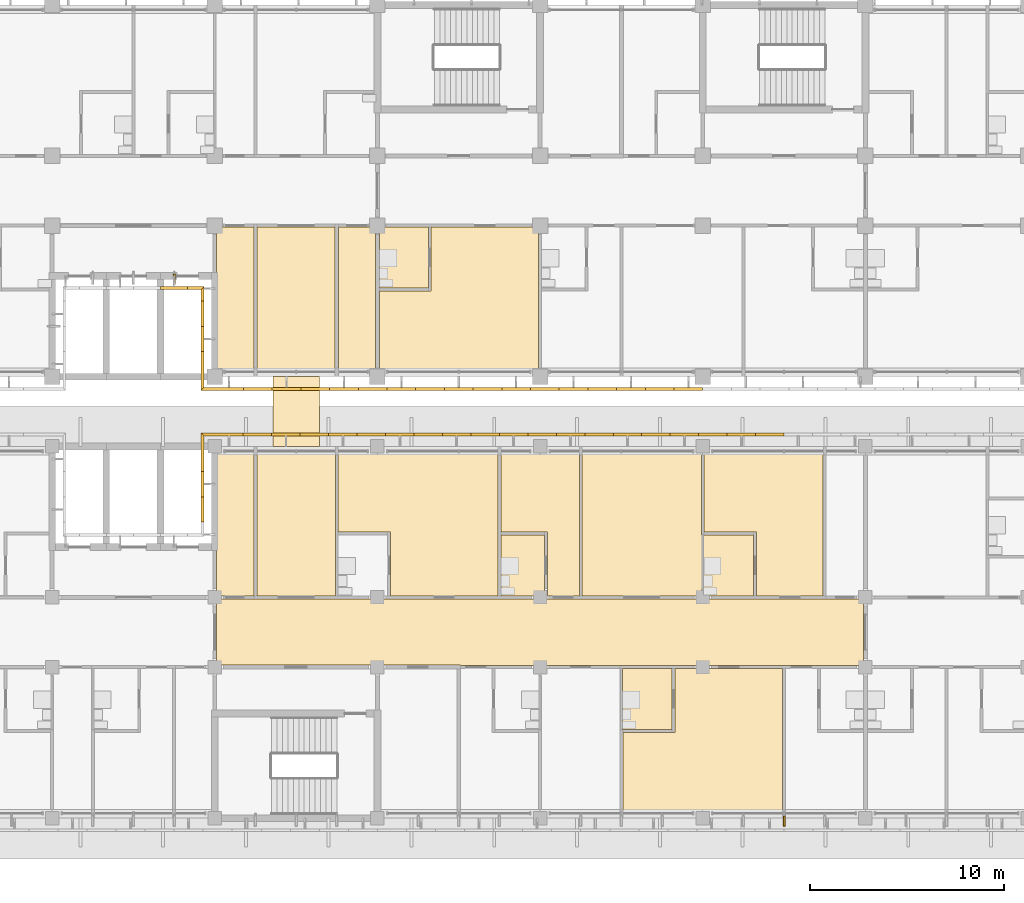
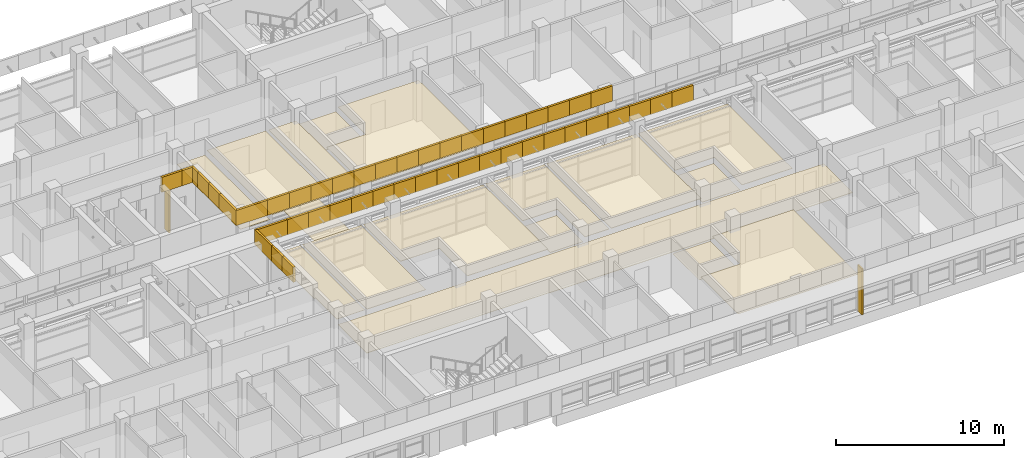
# One storey, part 63 of 71: 63 coverings, 2 shading devices.
"""IFC4 building model written with IfcOpenShell, lengths in metres."""

from ifc_helpers import new_model, si_unit, direction, frame, origin, origin_2d, place, context, subcontext, project, spatial, polyline, rectangle, outline, extrude, material, layer, layer_set, material_profile, profile_set, type_object, element, save


model = new_model("IFC4")

# Units and contexts
model_context = context("Model", 3, precision=1e-05, world=origin(), true_north=direction((0.0, 1.0)))
body_context = subcontext(model_context, "Body", "Model", "MODEL_VIEW")
ifc_project = project(units=[si_unit("LENGTHUNIT", "METRE"), si_unit("AREAUNIT", "SQUARE_METRE"), si_unit("VOLUMEUNIT", "CUBIC_METRE"), si_unit("PLANEANGLEUNIT", "RADIAN"), si_unit("MASSUNIT", "GRAM", prefix="KILO")], contexts=[model_context])

# Site, building, storey
site_placement = place(None, origin())
site = spatial("IfcSite", under=ifc_project, at=site_placement, CompositionType="ELEMENT")
building_placement = place(site_placement, origin())
building = spatial("IfcBuilding", under=site, at=building_placement, Name="Bougainvillea Quay General Hospital", CompositionType="ELEMENT")
storey_placement = place(building_placement, frame((0.0, 0.0, 24.89990234375)))
storey = spatial("IfcBuildingStorey", under=building, at=storey_placement, Name="L05", CompositionType="ELEMENT", Elevation=24.89990234375)

# Coverings
ifc_material_1 = material(Name="Powder-coated aluminium fascia, white", Category="aluminium")
ifc_layer_1 = layer(ifc_material_1, 0.14990234375)
ifc_layer_set_1 = layer_set([ifc_layer_1], Name="Powder-coated aluminium fascia, white")
covering_type_1 = type_object("IfcCoveringType", Name="Aluminium fascia band white 150x1100", PredefinedType="CLADDING", material=ifc_layer_set_1)
covering_1_placement = place(storey_placement, frame((72.800048828125, 145.050048828125, 3.35009765625), z_axis=(0.0, 0.0, 1.0), x_axis=(1.0, 0.0, 0.0)))
element("IfcCovering", 1, at=covering_1_placement, inside=storey, type_object=covering_type_1, Name="Fascia band white e0 135", PredefinedType="CLADDING", context=body_context, shape_type="SweptSolid", body=[
    extrude(outline(polyline([(0.0, 0.0), (1.39990234375, 0.0), (1.39990234375, -0.150146484375), (0.0, -0.150146484375), (0.0, 0.0)])), origin(), (0.0, 0.0, 1.0), 1.10009765625),
])
covering_2_placement = place(storey_placement, frame((74.199951171875, 145.050048828125, 3.35009765625), z_axis=(0.0, 0.0, 1.0), x_axis=(1.0, 0.0, 0.0)))
element("IfcCovering", 2, at=covering_2_placement, inside=storey, type_object=covering_type_1, Name="Fascia band white e0 136", PredefinedType="CLADDING", context=body_context, shape_type="SweptSolid", body=[
    extrude(outline(polyline([(0.0, 0.0), (0.85009765625, 0.0), (0.699951171875, -0.150146484375), (0.0, -0.150146484375), (0.0, 0.0)])), origin(), (0.0, 0.0, 1.0), 1.10009765625),
])
covering_3_placement = place(storey_placement, frame((75.050048828125, 145.050048828125, 3.35009765625), z_axis=(0.0, 0.0, 1.0), x_axis=(0.0, -1.0, 0.0)))
element("IfcCovering", 3, at=covering_3_placement, inside=storey, type_object=covering_type_1, Name="Fascia band white e0 137", PredefinedType="CLADDING", context=body_context, shape_type="SweptSolid", body=[
    extrude(outline(polyline([(0.0, 0.0), (0.75, 0.0), (0.75, -0.150146484375), (0.150146484375, -0.150146484375), (0.0, 0.0)])), origin(), (0.0, 0.0, 1.0), 1.10009765625),
])
for number, where, z_axis, x_axis, name in (
    (4, (75.050048828125, 144.300048828125, 3.35009765625), (0.0, 0.0, 1.0), (0.0, -1.0, 0.0), "Fascia band white e0 138"),
    (5, (75.050048828125, 143.0, 3.35009765625), (0.0, 0.0, 1.0), (0.0, -1.0, 0.0), "Fascia band white e0 139"),
):
    element("IfcCovering", number, at=place(storey_placement, frame(where, z_axis=z_axis, x_axis=x_axis)), inside=storey, type_object=covering_type_1, Name=name, PredefinedType="CLADDING", context=body_context, shape_type="SweptSolid", body=[
        extrude(outline(polyline([(0.0, 0.0), (1.300048828125, 0.0), (1.300048828125, -0.150146484375), (0.0, -0.150146484375), (0.0, 0.0)])), origin(), (0.0, 0.0, 1.0), 1.10009765625),
    ])
covering_4_placement = place(storey_placement, frame((75.050048828125, 141.699951171875, 3.35009765625), z_axis=(0.0, 0.0, 1.0), x_axis=(0.0, -1.0, 0.0)))
element("IfcCovering", 6, at=covering_4_placement, inside=storey, type_object=covering_type_1, Name="Fascia band white e0 140", PredefinedType="CLADDING", context=body_context, shape_type="SweptSolid", body=[
    extrude(outline(polyline([(0.0, 0.0), (1.849853515625, 0.0), (2.0, -0.150146484375), (0.0, -0.150146484375), (0.0, 0.0)])), origin(), (0.0, 0.0, 1.0), 1.10009765625),
])
covering_5_placement = place(storey_placement, frame((75.050048828125, 139.85009765625, 3.35009765625), z_axis=(0.0, 0.0, 1.0), x_axis=(1.0, 0.0, 0.0)))
element("IfcCovering", 7, at=covering_5_placement, inside=storey, type_object=covering_type_1, Name="Fascia band white e0 141", PredefinedType="CLADDING", context=body_context, shape_type="SweptSolid", body=[
    extrude(outline(polyline([(0.0, 0.0), (2.0322265625, 0.0), (2.0322265625, -0.150146484375), (-0.150146484375, -0.150146484375), (0.0, 0.0)])), origin(), (0.0, 0.0, 1.0), 1.10009765625),
])
for number, where, z_axis, x_axis, name in (
    (8, (77.082275390625, 139.85009765625, 3.35009765625), (0.0, 0.0, 1.0), (1.0, 0.0, 0.0), "Fascia band white e0 142"),
    (9, (78.564697265625, 139.85009765625, 3.35009765625), (0.0, 0.0, 1.0), (1.0, 0.0, 0.0), "Fascia band white e0 143"),
):
    element("IfcCovering", number, at=place(storey_placement, frame(where, z_axis=z_axis, x_axis=x_axis)), inside=storey, type_object=covering_type_1, Name=name, PredefinedType="CLADDING", context=body_context, shape_type="SweptSolid", body=[
        extrude(outline(polyline([(0.0, 0.0), (1.482421875, 0.0), (1.482421875, -0.150146484375), (0.0, -0.150146484375), (0.0, 0.0)])), origin(), (0.0, 0.0, 1.0), 1.10009765625),
    ])
covering_6_placement = place(storey_placement, frame((80.047119140625, 139.85009765625, 3.35009765625), z_axis=(0.0, 0.0, 1.0), x_axis=(1.0, 0.0, 0.0)))
element("IfcCovering", 10, at=covering_6_placement, inside=storey, type_object=covering_type_1, Name="Fascia band white e0 144", PredefinedType="CLADDING", context=body_context, shape_type="SweptSolid", body=[
    extrude(outline(polyline([(0.0, 0.0), (1.482177734375, 0.0), (1.482177734375, -0.150146484375), (0.0, -0.150146484375), (0.0, 0.0)])), origin(), (0.0, 0.0, 1.0), 1.10009765625),
])
for number, where, z_axis, x_axis, name in (
    (11, (81.529296875, 139.85009765625, 3.35009765625), (0.0, 0.0, 1.0), (1.0, 0.0, 0.0), "Fascia band white e0 145"),
    (12, (83.01171875, 139.85009765625, 3.35009765625), (0.0, 0.0, 1.0), (1.0, 0.0, 0.0), "Fascia band white e0 146"),
    (13, (84.494140625, 139.85009765625, 3.35009765625), (0.0, 0.0, 1.0), (1.0, 0.0, 0.0), "Fascia band white e0 147"),
):
    element("IfcCovering", number, at=place(storey_placement, frame(where, z_axis=z_axis, x_axis=x_axis)), inside=storey, type_object=covering_type_1, Name=name, PredefinedType="CLADDING", context=body_context, shape_type="SweptSolid", body=[
        extrude(outline(polyline([(0.0, 0.0), (1.482421875, 0.0), (1.482421875, -0.150146484375), (0.0, -0.150146484375), (0.0, 0.0)])), origin(), (0.0, 0.0, 1.0), 1.10009765625),
    ])
covering_7_placement = place(storey_placement, frame((85.9765625, 139.85009765625, 3.35009765625), z_axis=(0.0, 0.0, 1.0), x_axis=(1.0, 0.0, 0.0)))
element("IfcCovering", 14, at=covering_7_placement, inside=storey, type_object=covering_type_1, Name="Fascia band white e0 148", PredefinedType="CLADDING", context=body_context, shape_type="SweptSolid", body=[
    extrude(outline(polyline([(0.0, 0.0), (1.482177734375, 0.0), (1.482177734375, -0.150146484375), (0.0, -0.150146484375), (0.0, 0.0)])), origin(), (0.0, 0.0, 1.0), 1.10009765625),
])
for number, where, z_axis, x_axis, name in (
    (15, (87.458740234375, 139.85009765625, 3.35009765625), (0.0, 0.0, 1.0), (1.0, 0.0, 0.0), "Fascia band white e0 149"),
    (16, (88.941162109375, 139.85009765625, 3.35009765625), (0.0, 0.0, 1.0), (1.0, 0.0, 0.0), "Fascia band white e0 150"),
):
    element("IfcCovering", number, at=place(storey_placement, frame(where, z_axis=z_axis, x_axis=x_axis)), inside=storey, type_object=covering_type_1, Name=name, PredefinedType="CLADDING", context=body_context, shape_type="SweptSolid", body=[
        extrude(outline(polyline([(0.0, 0.0), (1.482421875, 0.0), (1.482421875, -0.150146484375), (0.0, -0.150146484375), (0.0, 0.0)])), origin(), (0.0, 0.0, 1.0), 1.10009765625),
    ])
covering_8_placement = place(storey_placement, frame((90.423583984375, 139.85009765625, 3.35009765625), z_axis=(0.0, 0.0, 1.0), x_axis=(1.0, 0.0, 0.0)))
element("IfcCovering", 17, at=covering_8_placement, inside=storey, type_object=covering_type_1, Name="Fascia band white e0 151", PredefinedType="CLADDING", context=body_context, shape_type="SweptSolid", body=[
    extrude(outline(polyline([(0.0, 0.0), (1.482177734375, 0.0), (1.482177734375, -0.150146484375), (0.0, -0.150146484375), (0.0, 0.0)])), origin(), (0.0, 0.0, 1.0), 1.10009765625),
])
for number, where, z_axis, x_axis, name in (
    (18, (91.90576171875, 139.85009765625, 3.35009765625), (0.0, 0.0, 1.0), (1.0, 0.0, 0.0), "Fascia band white e0 152"),
    (19, (93.38818359375, 139.85009765625, 3.35009765625), (0.0, 0.0, 1.0), (1.0, 0.0, 0.0), "Fascia band white e0 153"),
    (20, (94.87060546875, 139.85009765625, 3.35009765625), (0.0, 0.0, 1.0), (1.0, 0.0, 0.0), "Fascia band white e0 154"),
):
    element("IfcCovering", number, at=place(storey_placement, frame(where, z_axis=z_axis, x_axis=x_axis)), inside=storey, type_object=covering_type_1, Name=name, PredefinedType="CLADDING", context=body_context, shape_type="SweptSolid", body=[
        extrude(outline(polyline([(0.0, 0.0), (1.482421875, 0.0), (1.482421875, -0.150146484375), (0.0, -0.150146484375), (0.0, 0.0)])), origin(), (0.0, 0.0, 1.0), 1.10009765625),
    ])
covering_9_placement = place(storey_placement, frame((96.35302734375, 139.85009765625, 3.35009765625), z_axis=(0.0, 0.0, 1.0), x_axis=(1.0, 0.0, 0.0)))
element("IfcCovering", 21, at=covering_9_placement, inside=storey, type_object=covering_type_1, Name="Fascia band white e0 155", PredefinedType="CLADDING", context=body_context, shape_type="SweptSolid", body=[
    extrude(outline(polyline([(0.0, 0.0), (1.482177734375, 0.0), (1.482177734375, -0.150146484375), (0.0, -0.150146484375), (0.0, 0.0)])), origin(), (0.0, 0.0, 1.0), 1.10009765625),
])
for number, where, z_axis, x_axis, name in (
    (22, (97.835205078125, 139.85009765625, 3.35009765625), (0.0, 0.0, 1.0), (1.0, 0.0, 0.0), "Fascia band white e0 156"),
    (23, (99.317626953125, 139.85009765625, 3.35009765625), (0.0, 0.0, 1.0), (1.0, 0.0, 0.0), "Fascia band white e0 157"),
):
    element("IfcCovering", number, at=place(storey_placement, frame(where, z_axis=z_axis, x_axis=x_axis)), inside=storey, type_object=covering_type_1, Name=name, PredefinedType="CLADDING", context=body_context, shape_type="SweptSolid", body=[
        extrude(outline(polyline([(0.0, 0.0), (1.482421875, 0.0), (1.482421875, -0.150146484375), (0.0, -0.150146484375), (0.0, 0.0)])), origin(), (0.0, 0.0, 1.0), 1.10009765625),
    ])
for number, where, z_axis, x_axis, name in (
    (24, (105.0, 137.35009765625, 3.35009765625), (0.0, 0.0, 1.0), (-1.0, 0.0, 0.0), "Fascia band white e0 162"),
    (25, (103.530029296875, 137.35009765625, 3.35009765625), (0.0, 0.0, 1.0), (-1.0, 0.0, 0.0), "Fascia band white e0 163"),
    (26, (102.06005859375, 137.35009765625, 3.35009765625), (0.0, 0.0, 1.0), (-1.0, 0.0, 0.0), "Fascia band white e0 164"),
    (27, (100.590087890625, 137.35009765625, 3.35009765625), (0.0, 0.0, 1.0), (-1.0, 0.0, 0.0), "Fascia band white e0 165"),
):
    element("IfcCovering", number, at=place(storey_placement, frame(where, z_axis=z_axis, x_axis=x_axis)), inside=storey, type_object=covering_type_1, Name=name, PredefinedType="CLADDING", context=body_context, shape_type="SweptSolid", body=[
        extrude(outline(polyline([(0.0, 0.0), (1.469970703125, 0.0), (1.469970703125, -0.14990234375), (0.0, -0.14990234375), (0.0, 0.0)])), origin(), (0.0, 0.0, 1.0), 1.10009765625),
    ])
covering_10_placement = place(storey_placement, frame((99.1201171875, 137.35009765625, 3.35009765625), z_axis=(0.0, 0.0, 1.0), x_axis=(-1.0, 0.0, 0.0)))
element("IfcCovering", 28, at=covering_10_placement, inside=storey, type_object=covering_type_1, Name="Fascia band white e0 166", PredefinedType="CLADDING", context=body_context, shape_type="SweptSolid", body=[
    extrude(outline(polyline([(0.0, 0.0), (1.47021484375, 0.0), (1.47021484375, -0.14990234375), (0.0, -0.14990234375), (0.0, 0.0)])), origin(), (0.0, 0.0, 1.0), 1.10009765625),
])
for number, where, z_axis, x_axis, name in (
    (29, (97.64990234375, 137.35009765625, 3.35009765625), (0.0, 0.0, 1.0), (-1.0, 0.0, 0.0), "Fascia band white e0 167"),
    (30, (96.179931640625, 137.35009765625, 3.35009765625), (0.0, 0.0, 1.0), (-1.0, 0.0, 0.0), "Fascia band white e0 168"),
    (31, (94.7099609375, 137.35009765625, 3.35009765625), (0.0, 0.0, 1.0), (-1.0, 0.0, 0.0), "Fascia band white e0 169"),
    (32, (93.239990234375, 137.35009765625, 3.35009765625), (0.0, 0.0, 1.0), (-1.0, 0.0, 0.0), "Fascia band white e0 170"),
    (33, (91.77001953125, 137.35009765625, 3.35009765625), (0.0, 0.0, 1.0), (-1.0, 0.0, 0.0), "Fascia band white e0 171"),
    (34, (90.300048828125, 137.35009765625, 3.35009765625), (0.0, 0.0, 1.0), (-1.0, 0.0, 0.0), "Fascia band white e0 172"),
    (35, (88.830078125, 137.35009765625, 3.35009765625), (0.0, 0.0, 1.0), (-1.0, 0.0, 0.0), "Fascia band white e0 173"),
):
    element("IfcCovering", number, at=place(storey_placement, frame(where, z_axis=z_axis, x_axis=x_axis)), inside=storey, type_object=covering_type_1, Name=name, PredefinedType="CLADDING", context=body_context, shape_type="SweptSolid", body=[
        extrude(outline(polyline([(0.0, 0.0), (1.469970703125, 0.0), (1.469970703125, -0.14990234375), (0.0, -0.14990234375), (0.0, 0.0)])), origin(), (0.0, 0.0, 1.0), 1.10009765625),
    ])
covering_11_placement = place(storey_placement, frame((87.360107421875, 137.35009765625, 3.35009765625), z_axis=(0.0, 0.0, 1.0), x_axis=(-1.0, 0.0, 0.0)))
element("IfcCovering", 36, at=covering_11_placement, inside=storey, type_object=covering_type_1, Name="Fascia band white e0 174", PredefinedType="CLADDING", context=body_context, shape_type="SweptSolid", body=[
    extrude(outline(polyline([(0.0, 0.0), (1.47021484375, 0.0), (1.47021484375, -0.14990234375), (0.0, -0.14990234375), (0.0, 0.0)])), origin(), (0.0, 0.0, 1.0), 1.10009765625),
])
for number, where, z_axis, x_axis, name in (
    (37, (85.889892578125, 137.35009765625, 3.35009765625), (0.0, 0.0, 1.0), (-1.0, 0.0, 0.0), "Fascia band white e0 175"),
    (38, (84.419921875, 137.35009765625, 3.35009765625), (0.0, 0.0, 1.0), (-1.0, 0.0, 0.0), "Fascia band white e0 176"),
    (39, (82.949951171875, 137.35009765625, 3.35009765625), (0.0, 0.0, 1.0), (-1.0, 0.0, 0.0), "Fascia band white e0 177"),
    (40, (81.47998046875, 137.35009765625, 3.35009765625), (0.0, 0.0, 1.0), (-1.0, 0.0, 0.0), "Fascia band white e0 178"),
    (41, (80.010009765625, 137.35009765625, 3.35009765625), (0.0, 0.0, 1.0), (-1.0, 0.0, 0.0), "Fascia band white e0 179"),
    (42, (78.5400390625, 137.35009765625, 3.35009765625), (0.0, 0.0, 1.0), (-1.0, 0.0, 0.0), "Fascia band white e0 180"),
):
    element("IfcCovering", number, at=place(storey_placement, frame(where, z_axis=z_axis, x_axis=x_axis)), inside=storey, type_object=covering_type_1, Name=name, PredefinedType="CLADDING", context=body_context, shape_type="SweptSolid", body=[
        extrude(outline(polyline([(0.0, 0.0), (1.469970703125, 0.0), (1.469970703125, -0.14990234375), (0.0, -0.14990234375), (0.0, 0.0)])), origin(), (0.0, 0.0, 1.0), 1.10009765625),
    ])
covering_12_placement = place(storey_placement, frame((77.070068359375, 137.35009765625, 3.35009765625), z_axis=(0.0, 0.0, 1.0), x_axis=(-1.0, 0.0, 0.0)))
element("IfcCovering", 43, at=covering_12_placement, inside=storey, type_object=covering_type_1, Name="Fascia band white e0 181", PredefinedType="CLADDING", context=body_context, shape_type="SweptSolid", body=[
    extrude(outline(polyline([(0.0, 0.0), (2.02001953125, 0.0), (2.170166015625, -0.14990234375), (0.0, -0.14990234375), (0.0, 0.0)])), origin(), (0.0, 0.0, 1.0), 1.10009765625),
])
covering_13_placement = place(storey_placement, frame((75.050048828125, 137.35009765625, 3.35009765625), z_axis=(0.0, 0.0, 1.0), x_axis=(0.0, -1.0, 0.0)))
element("IfcCovering", 44, at=covering_13_placement, inside=storey, type_object=covering_type_1, Name="Fascia band white e0 182", PredefinedType="CLADDING", context=body_context, shape_type="SweptSolid", body=[
    extrude(outline(polyline([(0.0, 0.0), (1.85009765625, 0.0), (1.85009765625, -0.150146484375), (-0.14990234375, -0.150146484375), (0.0, 0.0)])), origin(), (0.0, 0.0, 1.0), 1.10009765625),
])
for number, where, z_axis, x_axis, name in (
    (45, (75.050048828125, 135.5, 3.35009765625), (0.0, 0.0, 1.0), (0.0, -1.0, 0.0), "Fascia band white e0 183"),
    (46, (75.050048828125, 134.199951171875, 3.35009765625), (0.0, 0.0, 1.0), (0.0, -1.0, 0.0), "Fascia band white e0 184"),
):
    element("IfcCovering", number, at=place(storey_placement, frame(where, z_axis=z_axis, x_axis=x_axis)), inside=storey, type_object=covering_type_1, Name=name, PredefinedType="CLADDING", context=body_context, shape_type="SweptSolid", body=[
        extrude(outline(polyline([(0.0, 0.0), (1.300048828125, 0.0), (1.300048828125, -0.150146484375), (0.0, -0.150146484375), (0.0, 0.0)])), origin(), (0.0, 0.0, 1.0), 1.10009765625),
    ])
ifc_material_2 = material(Name="Mineral fibre ceiling tile")
ifc_layer_2 = layer(ifc_material_2, 0.030029296875)
ifc_layer_set_2 = layer_set([ifc_layer_2], Name="Mineral fibre ceiling tile")
covering_type_2 = type_object("IfcCoveringType", Name="Suspended ceiling mineral fibre tile", PredefinedType="CEILING", material=ifc_layer_set_2)
covering_14_placement = place(storey_placement, frame((0.0, 0.0, 2.7001953125)))
element("IfcCovering", 47, at=covering_14_placement, inside=storey, type_object=covering_type_2, Name="Ceiling Ward Link Bridge 1", PredefinedType="CEILING", context=body_context, shape_type="SweptSolid", body=[
    extrude(outline(polyline([(81.0, 136.800048828125), (81.0, 140.39990234375), (78.60009765625, 140.39990234375), (78.60009765625, 136.800048828125), (81.0, 136.800048828125)])), origin(), (0.0, 0.0, 1.0), 0.02978515625),
])
covering_15_placement = place(storey_placement, frame((0.0, 0.0, 2.400146484375)))
element("IfcCovering", 48, at=covering_15_placement, inside=storey, type_object=covering_type_2, Name="Ceiling Cleaners' Store 05A11", PredefinedType="CEILING", context=body_context, shape_type="SweptSolid", body=[
    extrude(outline(polyline([(77.625, 140.39990234375), (77.625, 148.125), (75.699951171875, 148.125), (75.699951171875, 145.60009765625), (75.60009765625, 145.60009765625), (75.60009765625, 140.39990234375), (77.625, 140.39990234375)])), origin(), (0.0, 0.0, 1.0), 0.030029296875),
])
covering_16_placement = place(storey_placement, frame((0.0, 0.0, 2.7001953125)))
element("IfcCovering", 49, at=covering_16_placement, inside=storey, type_object=covering_type_2, Name="Ceiling Four-bed Ward Room 05A12", PredefinedType="CEILING", context=body_context, shape_type="SweptSolid", body=[
    extrude(outline(polyline([(92.324951171875, 140.39990234375), (92.324951171875, 148.125), (86.77490234375, 148.125), (86.77490234375, 144.824951171875), (84.10009765625, 144.824951171875), (84.10009765625, 140.39990234375), (92.324951171875, 140.39990234375)])), origin(), (0.0, 0.0, 1.0), 0.02978515625),
])
covering_17_placement = place(storey_placement, frame((0.0, 0.0, 2.400146484375)))
element("IfcCovering", 50, at=covering_17_placement, inside=storey, type_object=covering_type_2, Name="Ceiling En-suite 05A12", PredefinedType="CEILING", context=body_context, shape_type="SweptSolid", body=[
    extrude(outline(polyline([(84.10009765625, 144.97509765625), (86.625, 144.97509765625), (86.625, 148.125), (84.10009765625, 148.125), (84.10009765625, 144.97509765625)])), origin(), (0.0, 0.0, 1.0), 0.030029296875),
])
covering_18_placement = place(storey_placement, frame((0.0, 0.0, 2.7001953125)))
element("IfcCovering", 51, at=covering_18_placement, inside=storey, type_object=covering_type_2, Name="Ceiling Ward Link Passage A1", PredefinedType="CEILING", context=body_context, shape_type="SweptSolid", body=[
    extrude(outline(polyline([(81.800048828125, 140.39990234375), (81.800048828125, 148.125), (77.77490234375, 148.125), (77.77490234375, 140.39990234375), (81.800048828125, 140.39990234375)])), origin(), (0.0, 0.0, 1.0), 0.02978515625),
])
covering_19_placement = place(storey_placement, frame((0.0, 0.0, 2.7001953125)))
element("IfcCovering", 52, at=covering_19_placement, inside=storey, type_object=covering_type_2, Name="Ceiling Lift Machine Room A1", PredefinedType="CEILING", context=body_context, shape_type="SweptSolid", body=[
    extrude(outline(polyline([(83.89990234375, 140.39990234375), (83.89990234375, 148.125), (82.0, 148.125), (82.0, 140.39990234375), (83.89990234375, 140.39990234375)])), origin(), (0.0, 0.0, 1.0), 0.02978515625),
])
covering_20_placement = place(storey_placement, frame((0.0, 0.0, 2.7001953125)))
element("IfcCovering", 53, at=covering_20_placement, inside=storey, type_object=covering_type_2, Name="Ceiling Dirty Utility and Sluice Room 05B12", PredefinedType="CEILING", context=body_context, shape_type="SweptSolid", body=[
    extrude(outline(polyline([(75.60009765625, 131.60009765625), (75.699951171875, 131.60009765625), (75.699951171875, 129.074951171875), (77.625, 129.074951171875), (77.625, 136.800048828125), (75.60009765625, 136.800048828125), (75.60009765625, 131.60009765625)])), origin(), (0.0, 0.0, 1.0), 0.02978515625),
])
covering_21_placement = place(storey_placement, frame((0.0, 0.0, 2.7001953125)))
element("IfcCovering", 54, at=covering_21_placement, inside=storey, type_object=covering_type_2, Name="Ceiling Four-bed Ward Room 05B13", PredefinedType="CEILING", context=body_context, shape_type="SweptSolid", body=[
    extrude(outline(polyline([(81.97509765625, 136.800048828125), (81.97509765625, 132.375), (84.675048828125, 132.375), (84.675048828125, 129.074951171875), (90.22509765625, 129.074951171875), (90.22509765625, 136.800048828125), (81.97509765625, 136.800048828125)])), origin(), (0.0, 0.0, 1.0), 0.02978515625),
])
covering_22_placement = place(storey_placement, frame((0.0, 0.0, 2.7001953125)))
element("IfcCovering", 55, at=covering_22_placement, inside=storey, type_object=covering_type_2, Name="Ceiling Patient Room 05B14", PredefinedType="CEILING", context=body_context, shape_type="SweptSolid", body=[
    extrude(outline(polyline([(90.375, 136.800048828125), (90.375, 132.375), (92.77490234375, 132.375), (92.77490234375, 129.074951171875), (94.425048828125, 129.074951171875), (94.425048828125, 136.800048828125), (90.375, 136.800048828125)])), origin(), (0.0, 0.0, 1.0), 0.02978515625),
])
covering_23_placement = place(storey_placement, frame((0.0, 0.0, 2.400146484375)))
element("IfcCovering", 56, at=covering_23_placement, inside=storey, type_object=covering_type_2, Name="Ceiling En-suite 05B14", PredefinedType="CEILING", context=body_context, shape_type="SweptSolid", body=[
    extrude(outline(polyline([(92.625, 129.074951171875), (92.625, 132.22509765625), (90.375, 132.22509765625), (90.375, 129.074951171875), (92.625, 129.074951171875)])), origin(), (0.0, 0.0, 1.0), 0.030029296875),
])
covering_24_placement = place(storey_placement, frame((0.0, 0.0, 2.7001953125)))
element("IfcCovering", 57, at=covering_24_placement, inside=storey, type_object=covering_type_2, Name="Ceiling Nurses' Station 05B15", PredefinedType="CEILING", context=body_context, shape_type="SweptSolid", body=[
    extrude(outline(polyline([(94.574951171875, 136.800048828125), (94.574951171875, 129.074951171875), (100.75, 129.074951171875), (100.75, 132.22509765625), (100.72509765625, 132.22509765625), (100.72509765625, 136.800048828125), (94.574951171875, 136.800048828125)])), origin(), (0.0, 0.0, 1.0), 0.02978515625),
])
covering_25_placement = place(storey_placement, frame((0.0, 0.0, 2.7001953125)))
element("IfcCovering", 58, at=covering_25_placement, inside=storey, type_object=covering_type_2, Name="Ceiling Two-bed Patient Room 05B16", PredefinedType="CEILING", context=body_context, shape_type="SweptSolid", body=[
    extrude(outline(polyline([(100.875, 136.800048828125), (100.875, 132.375), (103.574951171875, 132.375), (103.574951171875, 129.074951171875), (107.02490234375, 129.074951171875), (107.02490234375, 136.800048828125), (100.875, 136.800048828125)])), origin(), (0.0, 0.0, 1.0), 0.02978515625),
])
covering_26_placement = place(storey_placement, frame((0.0, 0.0, 2.400146484375)))
element("IfcCovering", 59, at=covering_26_placement, inside=storey, type_object=covering_type_2, Name="Ceiling En-suite 05B16", PredefinedType="CEILING", context=body_context, shape_type="SweptSolid", body=[
    extrude(outline(polyline([(100.85009765625, 129.074951171875), (103.425048828125, 129.074951171875), (103.425048828125, 132.22509765625), (100.85009765625, 132.22509765625), (100.85009765625, 129.074951171875)])), origin(), (0.0, 0.0, 1.0), 0.030029296875),
])
covering_27_placement = place(storey_placement, frame((0.0, 0.0, 2.7001953125)))
element("IfcCovering", 60, at=covering_27_placement, inside=storey, type_object=covering_type_2, Name="Ceiling Four-bed Ward Room 05B20", PredefinedType="CEILING", context=body_context, shape_type="SweptSolid", body=[
    extrude(outline(polyline([(104.925048828125, 117.60009765625), (104.925048828125, 125.324951171875), (99.375, 125.324951171875), (99.375, 122.02490234375), (96.675048828125, 122.02490234375), (96.675048828125, 117.60009765625), (104.925048828125, 117.60009765625)])), origin(), (0.0, 0.0, 1.0), 0.02978515625),
])
covering_28_placement = place(storey_placement, frame((0.0, 0.0, 2.400146484375)))
element("IfcCovering", 61, at=covering_28_placement, inside=storey, type_object=covering_type_2, Name="Ceiling En-suite 05B20", PredefinedType="CEILING", context=body_context, shape_type="SweptSolid", body=[
    extrude(outline(polyline([(99.22509765625, 125.324951171875), (96.64990234375, 125.324951171875), (96.64990234375, 122.175048828125), (99.22509765625, 122.175048828125), (99.22509765625, 125.324951171875)])), origin(), (0.0, 0.0, 1.0), 0.030029296875),
])
covering_29_placement = place(storey_placement, frame((0.0, 0.0, 2.400146484375)))
element("IfcCovering", 62, at=covering_29_placement, inside=storey, type_object=covering_type_2, Name="Ceiling Ward Corridor B2", PredefinedType="CEILING", context=body_context, shape_type="SweptSolid", body=[
    extrude(outline(polyline([(75.699951171875, 125.5), (88.300048828125, 125.5), (88.300048828125, 125.47509765625), (109.10009765625, 125.47509765625), (109.10009765625, 128.925048828125), (75.699951171875, 128.925048828125), (75.699951171875, 125.5)])), origin(), (0.0, 0.0, 1.0), 0.030029296875),
])
covering_30_placement = place(storey_placement, frame((0.0, 0.0, 2.7001953125)))
element("IfcCovering", 63, at=covering_30_placement, inside=storey, type_object=covering_type_2, Name="Ceiling Ward Link Passage B1", PredefinedType="CEILING", context=body_context, shape_type="SweptSolid", body=[
    extrude(outline(polyline([(77.77490234375, 136.800048828125), (77.77490234375, 129.074951171875), (81.824951171875, 129.074951171875), (81.824951171875, 136.800048828125), (77.77490234375, 136.800048828125)])), origin(), (0.0, 0.0, 1.0), 0.02978515625),
])

# Shading devices
ifc_material_3 = material(Name="Powder-coated aluminium fin, white", Category="aluminium")
ifc_material_profile = material_profile(ifc_material_3, rectangle(XDim=0.550048828125, YDim=0.10009765625, at=origin_2d()))
ifc_profile_set = profile_set([ifc_material_profile], Name="Powder-coated aluminium fin, white")
shading_device_type = type_object("IfcShadingDeviceType", Name="Vertical fin 550x100", PredefinedType="USERDEFINED", material=ifc_profile_set)
for number, where, z_axis, x_axis, name in (
    (64, (73.5, 145.455078125, 0.0), (0.0, 0.0, 1.0), (0.0, -1.0, 0.0), "Vertical fin V5A L05 04.1"),
    (65, (105.0, 117.455078125, 0.0), (0.0, 0.0, 1.0), (0.0, -1.0, 0.0), "Vertical fin V5B L05 01.23"),
):
    element("IfcShadingDevice", number, at=place(storey_placement, frame(where, z_axis=z_axis, x_axis=x_axis)), inside=storey, type_object=shading_device_type, Name=name, ObjectType="Vertical fin", PredefinedType="USERDEFINED", context=body_context, shape_type="SweptSolid", body=[
        extrude(rectangle(XDim=0.550048828125, YDim=0.10009765625, at=origin_2d()), origin(), (0.0, 0.0, 1.0), 3.330078125),
    ])

save(model, "model.ifc")
